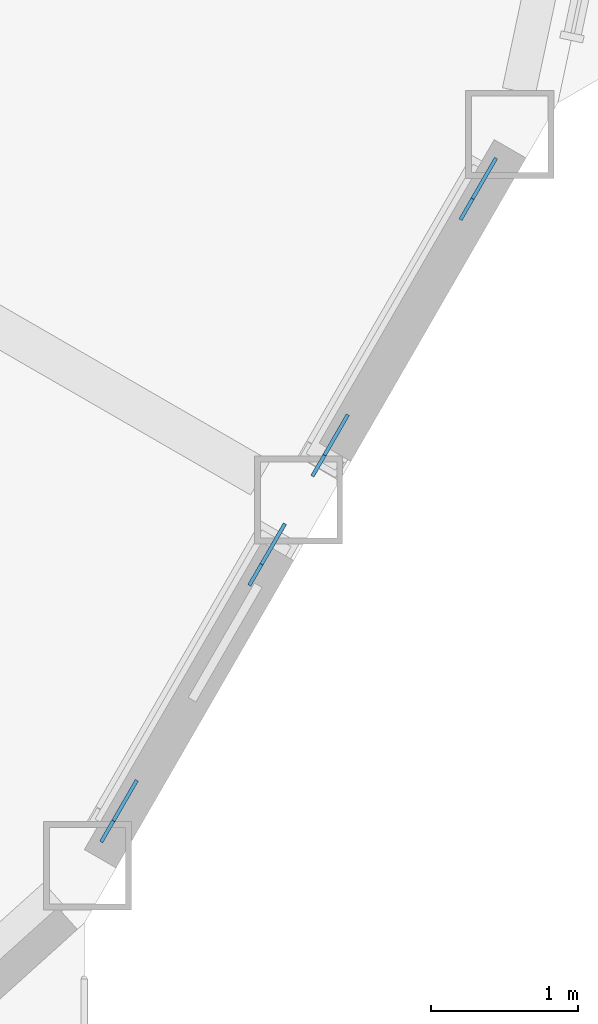
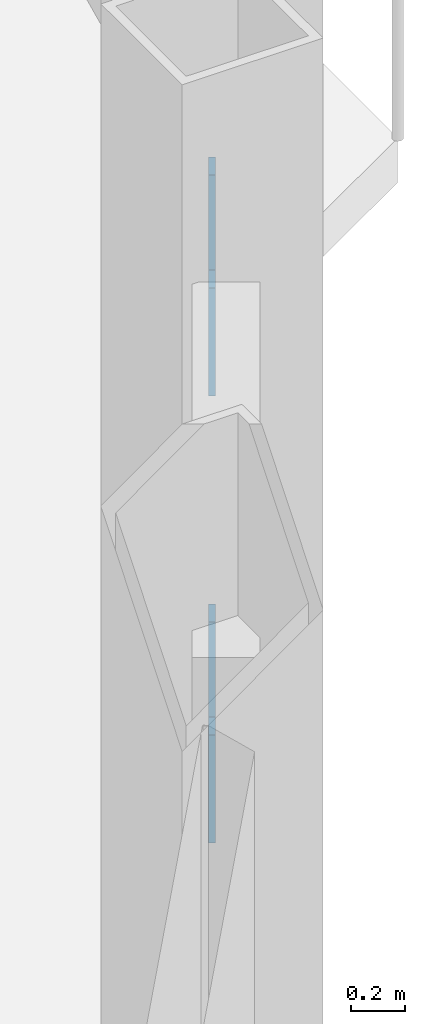
# One storey, part 20 of 26: 4 discrete accessories.
"""IFC4 building model written with IfcOpenShell, lengths in metres."""

from ifc_helpers import new_model, si_unit, direction, frame, origin, origin_2d, place, context, subcontext, project, spatial, rectangle, extrude, material, material_profile, profile_set, type_object, element, save


model = new_model("IFC4")

# Units and contexts
model_context = context("Model", 3, precision=1e-05, world=origin(), true_north=direction((0.0, 1.0)))
body_context = subcontext(model_context, "Body", "Model", "MODEL_VIEW")
ifc_project = project(units=[si_unit("LENGTHUNIT", "METRE"), si_unit("AREAUNIT", "SQUARE_METRE"), si_unit("VOLUMEUNIT", "CUBIC_METRE"), si_unit("PLANEANGLEUNIT", "RADIAN"), si_unit("MASSUNIT", "GRAM", prefix="KILO")], contexts=[model_context])

# Site, building, storey
site_placement = place(None, origin())
site = spatial("IfcSite", under=ifc_project, at=site_placement, CompositionType="ELEMENT")
building_placement = place(site_placement, origin())
building = spatial("IfcBuilding", under=site, at=building_placement, Name="Cormorant Prow Tower", CompositionType="ELEMENT")
storey_placement = place(building_placement, frame((0.0, 0.0, 322.199951171875)))
storey = spatial("IfcBuildingStorey", under=building, at=storey_placement, Name="L71", CompositionType="ELEMENT", Elevation=322.199951171875)

# Discrete accessories
ifc_material = material(Name="Structural steel ASTM A500 Gr C", Category="steel")
ifc_material_profile = material_profile(ifc_material, rectangle(XDim=0.02490234375, YDim=0.405029296875, at=origin_2d()), Name="Gusset plate 25x405")
ifc_profile_set = profile_set([ifc_material_profile], Name="Structural steel ASTM A500 Gr C")
discrete_accessory_type = type_object("IfcDiscreteAccessoryType", Name="Gusset plate 25x405", PredefinedType="BRACKET", material=ifc_profile_set)
discrete_accessory_1_placement = place(storey_placement, frame((27.137939453125, -16.34765625, 0.86376953125), z_axis=(0.45649114423, 0.790134518758, -0.409027233209), x_axis=(-0.865879799044, 0.500252110048, 0.0)))
element("IfcDiscreteAccessory", 1, at=discrete_accessory_1_placement, inside=storey, type_object=discrete_accessory_type, Name="Gusset plate GP3 L71.ESE00.g0", PredefinedType="BRACKET", context=body_context, shape_type="SweptSolid", body=[
    extrude(rectangle(XDim=0.02490234375, YDim=0.405029296875, at=origin_2d()), origin(), (0.0, 0.0, 1.0), 0.349853515625),
])
discrete_accessory_2_placement = place(storey_placement, frame((26.289794921875, -17.817138671875, 1.624267578125), z_axis=(-0.456791619277, -0.790144892581, 0.408671586101), x_axis=(0.865740004385, -0.50049400077, 0.0)))
element("IfcDiscreteAccessory", 2, at=discrete_accessory_2_placement, inside=storey, type_object=discrete_accessory_type, Name="Gusset plate GP3 L71.ESE00.g1", PredefinedType="BRACKET", context=body_context, shape_type="SweptSolid", body=[
    extrude(rectangle(XDim=0.02490234375, YDim=0.405029296875, at=origin_2d()), origin(), (0.0, 0.0, 1.0), 0.35009765625),
])
for number, where, z_axis, x_axis, name in (
    (3, (28.574951171875, -13.85888671875, 0.86376953125), (0.456239480558, 0.790396531303, -0.408801736402), (-0.866071029786, 0.499920965119, 0.0), "Gusset plate GP3 L71.ESE01.g0"),
    (4, (27.7265625, -15.328369140625, 1.624267578125), (-0.456239480558, -0.790396531303, 0.408801736402), (0.866071029786, -0.499920965119, 0.0), "Gusset plate GP3 L71.ESE01.g1"),
):
    element("IfcDiscreteAccessory", number, at=place(storey_placement, frame(where, z_axis=z_axis, x_axis=x_axis)), inside=storey, type_object=discrete_accessory_type, Name=name, PredefinedType="BRACKET", context=body_context, shape_type="SweptSolid", body=[
        extrude(rectangle(XDim=0.02490234375, YDim=0.405029296875, at=origin_2d()), origin(), (0.0, 0.0, 1.0), 0.349853515625),
    ])

save(model, "model.ifc")
